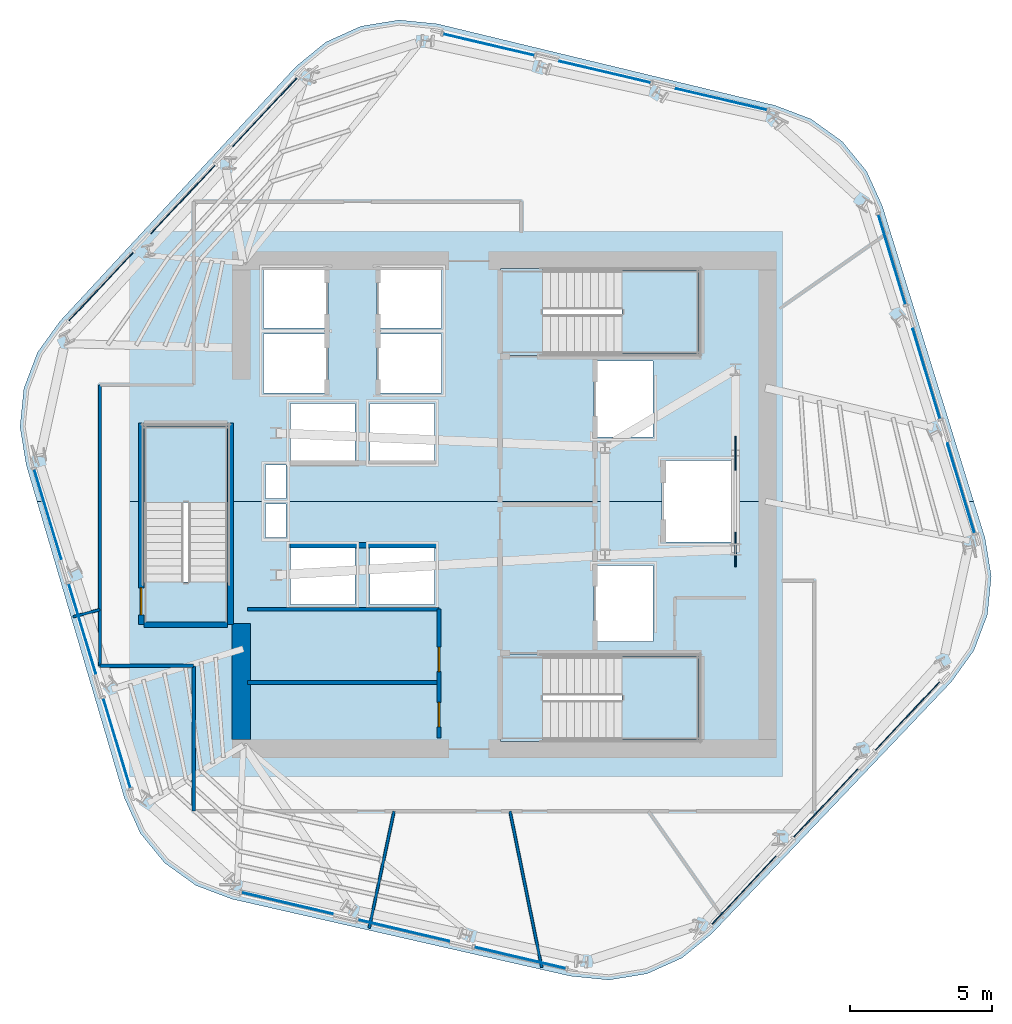
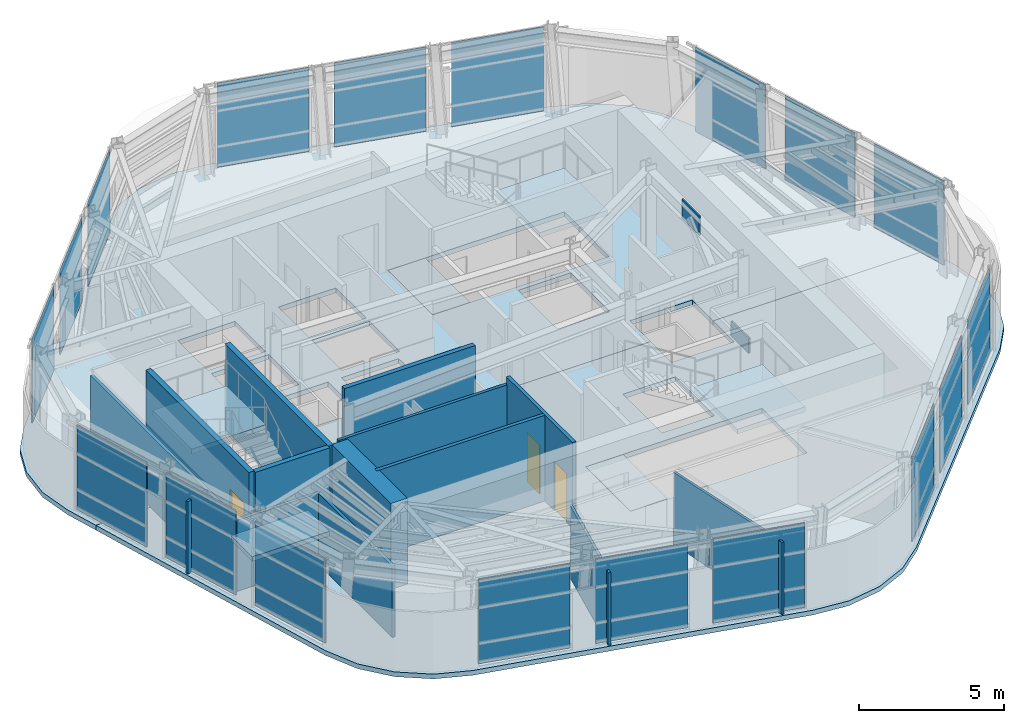
# One storey, part 6 of 13: 20 plates, 14 walls, 8 slabs, 3 doors, 3 openings, 9 elements without a shape of their own.
"""IFC4 building model written with IfcOpenShell, lengths in metres."""

from ifc_helpers import new_model, si_unit, direction, frame, frame_2d, origin, origin_2d, place, context, subcontext, project, spatial, polyline, rectangle, outline, extrude, material, layer, layer_set, type_object, element, fill, aggregate, save


model = new_model("IFC4")

# Units and contexts
model_context = context("Model", 3, precision=1e-05, world=origin(), true_north=direction((0.0, 1.0)))
body_context = subcontext(model_context, "Body", "Model", "MODEL_VIEW")
ifc_project = project(units=[si_unit("LENGTHUNIT", "METRE"), si_unit("AREAUNIT", "SQUARE_METRE"), si_unit("VOLUMEUNIT", "CUBIC_METRE"), si_unit("PLANEANGLEUNIT", "RADIAN"), si_unit("MASSUNIT", "GRAM", prefix="KILO")], contexts=[model_context])

# Site, building, storey
site_placement = place(None, origin())
site = spatial("IfcSite", under=ifc_project, at=site_placement, CompositionType="ELEMENT")
building_placement = place(site_placement, origin())
building = spatial("IfcBuilding", under=site, at=building_placement, Name="Valkerne Bourse Tower", CompositionType="ELEMENT")
storey_placement = place(building_placement, frame((0.0, 0.0, 224.60009765625)))
storey = spatial("IfcBuildingStorey", under=building, at=storey_placement, Name="L57", CompositionType="ELEMENT", Elevation=224.60009765625)

# Curtain wall, plates
ifc_material_1 = material(Name="Aluminium AA 6063-T6", Category="aluminium")
ifc_layer_1 = layer(ifc_material_1, 0.239990234375)
ifc_layer_set_1 = layer_set([ifc_layer_1], Name="Aluminium AA 6063-T6")
curtain_wall_type = type_object("IfcCurtainWallType", Name="CW-04", PredefinedType="NOTDEFINED", material=ifc_layer_set_1)
curtain_wall_1_placement = place(storey_placement, origin())
curtain_wall_1 = element("IfcCurtainWall", 1, at=curtain_wall_1_placement, inside=storey, type_object=curtain_wall_type, Name="L57 Hexagonal Stick Curtain Wall Face 1", PredefinedType="NOTDEFINED")
ifc_material_2 = material(Name="Glass IGU Low-E Double Glazed", Category="glass")
ifc_layer_2 = layer(ifc_material_2, 0.031982421875)
ifc_layer_set_2 = layer_set([ifc_layer_2], Name="Glass IGU Low-E Double Glazed")
plate_type_1 = type_object("IfcPlateType", Name="CW-PNL-IGU-32", PredefinedType="CURTAIN_PANEL", material=ifc_layer_set_2)
plate_1_placement = place(storey_placement, frame((54.448974609375, 41.16650390625, 0.02978515625), z_axis=(0.0, 0.0, 1.0), x_axis=(-0.973579457174, 0.228348506824, 0.0)))
plate_1 = element("IfcPlate", 2, at=plate_1_placement, type_object=plate_type_1, Name="CW-L57-F1 Curtain Panel 00", PredefinedType="CURTAIN_PANEL", context=body_context, shape_type="SweptSolid", body=[
    extrude(rectangle(XDim=3.2919921875, YDim=0.031982421875, at=origin_2d()), origin(), (0.0, 0.0, 1.0), 3.5400390625),
])
plate_2_placement = place(storey_placement, frame((50.348388671875, 42.128173828125, 0.02978515625), z_axis=(0.0, 0.0, 1.0), x_axis=(-0.973579457174, 0.228348506824, 0.0)))
plate_2 = element("IfcPlate", 3, at=plate_2_placement, type_object=plate_type_1, Name="CW-L57-F1 Curtain Panel 01", PredefinedType="CURTAIN_PANEL", context=body_context, shape_type="SweptSolid", body=[
    extrude(rectangle(XDim=3.2919921875, YDim=0.031982421875, at=origin_2d()), origin(), (0.0, 0.0, 1.0), 3.5400390625),
])
plate_3_placement = place(storey_placement, frame((46.24755859375, 43.090087890625, 0.02978515625), z_axis=(0.0, 0.0, 1.0), x_axis=(-0.973579457174, 0.228348506824, 0.0)))
plate_3 = element("IfcPlate", 4, at=plate_3_placement, type_object=plate_type_1, Name="CW-L57-F1 Curtain Panel 02", PredefinedType="CURTAIN_PANEL", context=body_context, shape_type="SweptSolid", body=[
    extrude(rectangle(XDim=3.2919921875, YDim=0.031982421875, at=origin_2d()), origin(), (0.0, 0.0, 1.0), 3.5400390625),
])
aggregate(curtain_wall_1, [plate_1, plate_2, plate_3])

curtain_wall_2_placement = place(storey_placement, origin())
curtain_wall_2 = element("IfcCurtainWall", 5, at=curtain_wall_2_placement, inside=storey, type_object=curtain_wall_type, Name="L57 Hexagonal Stick Curtain Wall Face 2", PredefinedType="NOTDEFINED")
plate_4_placement = place(storey_placement, frame((38.35595703125, 40.70751953125, 0.02978515625), z_axis=(0.0, 0.0, 1.0), x_axis=(-0.684560035051, -0.728956485952, 0.0)))
plate_4 = element("IfcPlate", 6, at=plate_4_placement, type_object=plate_type_1, Name="CW-L57-F2 Curtain Panel 00", PredefinedType="CURTAIN_PANEL", context=body_context, shape_type="SweptSolid", body=[
    extrude(rectangle(XDim=3.2919921875, YDim=0.031982421875, at=origin_2d()), origin(), (0.0, 0.0, 1.0), 3.5400390625),
])
plate_5_placement = place(storey_placement, frame((35.47265625, 37.636962890625, 0.02978515625), z_axis=(0.0, 0.0, 1.0), x_axis=(-0.684535571717, -0.728979458595, 0.0)))
plate_5 = element("IfcPlate", 7, at=plate_5_placement, type_object=plate_type_1, Name="CW-L57-F2 Curtain Panel 01", PredefinedType="CURTAIN_PANEL", context=body_context, shape_type="SweptSolid", body=[
    extrude(rectangle(XDim=3.2919921875, YDim=0.031982421875, at=origin_2d()), origin(), (0.0, 0.0, 1.0), 3.5400390625),
])
plate_6_placement = place(storey_placement, frame((32.58935546875, 34.56640625, 0.02978515625), z_axis=(0.0, 0.0, 1.0), x_axis=(-0.684547419077, -0.728968333355, 0.0)))
plate_6 = element("IfcPlate", 8, at=plate_6_placement, type_object=plate_type_1, Name="CW-L57-F2 Curtain Panel 02", PredefinedType="CURTAIN_PANEL", context=body_context, shape_type="SweptSolid", body=[
    extrude(rectangle(XDim=3.2919921875, YDim=0.031982421875, at=origin_2d()), origin(), (0.0, 0.0, 1.0), 3.5400390625),
])
aggregate(curtain_wall_2, [plate_4, plate_5, plate_6])

curtain_wall_3_placement = place(storey_placement, origin())
curtain_wall_3 = element("IfcCurtainWall", 9, at=curtain_wall_3_placement, inside=storey, type_object=curtain_wall_type, Name="L57 Hexagonal Stick Curtain Wall Face 3", PredefinedType="NOTDEFINED")
plate_7_placement = place(storey_placement, frame((30.70703125, 26.541015625, 0.02978515625), z_axis=(0.0, 0.0, 1.0), x_axis=(0.289033329904, -0.957319034703, 0.0)))
plate_7 = element("IfcPlate", 10, at=plate_7_placement, type_object=plate_type_1, Name="CW-L57-F3 Curtain Panel 00", PredefinedType="CURTAIN_PANEL", context=body_context, shape_type="SweptSolid", body=[
    extrude(rectangle(XDim=3.2919921875, YDim=0.031982421875, at=origin_2d()), origin(), (0.0, 0.0, 1.0), 3.5400390625),
])
plate_8_placement = place(storey_placement, frame((31.92431640625, 22.5087890625, 0.02978515625), z_axis=(0.0, 0.0, 1.0), x_axis=(0.289033329904, -0.957319034703, 0.0)))
plate_8 = element("IfcPlate", 11, at=plate_8_placement, type_object=plate_type_1, Name="CW-L57-F3 Curtain Panel 01", PredefinedType="CURTAIN_PANEL", context=body_context, shape_type="SweptSolid", body=[
    extrude(rectangle(XDim=3.2919921875, YDim=0.031982421875, at=origin_2d()), origin(), (0.0, 0.0, 1.0), 3.5400390625),
])
plate_9_placement = place(storey_placement, frame((33.141845703125, 18.4765625, 0.02978515625), z_axis=(0.0, 0.0, 1.0), x_axis=(0.289026760752, -0.957321018034, 0.0)))
plate_9 = element("IfcPlate", 12, at=plate_9_placement, type_object=plate_type_1, Name="CW-L57-F3 Curtain Panel 02", PredefinedType="CURTAIN_PANEL", context=body_context, shape_type="SweptSolid", body=[
    extrude(rectangle(XDim=3.2919921875, YDim=0.031982421875, at=origin_2d()), origin(), (0.0, 0.0, 1.0), 3.5400390625),
])
aggregate(curtain_wall_3, [plate_7, plate_8, plate_9])

curtain_wall_4_placement = place(storey_placement, origin())
curtain_wall_4 = element("IfcCurtainWall", 13, at=curtain_wall_4_placement, inside=storey, type_object=curtain_wall_type, Name="L57 Hexagonal Stick Curtain Wall Face 4", PredefinedType="NOTDEFINED")
plate_10_placement = place(storey_placement, frame((39.15087890625, 12.83349609375, 0.02978515625), z_axis=(0.0, 0.0, 1.0), x_axis=(0.973579457174, -0.228348506824, 0.0)))
plate_10 = element("IfcPlate", 14, at=plate_10_placement, type_object=plate_type_1, Name="CW-L57-F4 Curtain Panel 00", PredefinedType="CURTAIN_PANEL", context=body_context, shape_type="SweptSolid", body=[
    extrude(rectangle(XDim=3.2919921875, YDim=0.031982421875, at=origin_2d()), origin(), (0.0, 0.0, 1.0), 3.5400390625),
])
plate_11_placement = place(storey_placement, frame((43.251708984375, 11.871826171875, 0.02978515625), z_axis=(0.0, 0.0, 1.0), x_axis=(0.973579457174, -0.228348506824, 0.0)))
plate_11 = element("IfcPlate", 15, at=plate_11_placement, type_object=plate_type_1, Name="CW-L57-F4 Curtain Panel 01", PredefinedType="CURTAIN_PANEL", context=body_context, shape_type="SweptSolid", body=[
    extrude(rectangle(XDim=3.2919921875, YDim=0.031982421875, at=origin_2d()), origin(), (0.0, 0.0, 1.0), 3.5400390625),
])
plate_12_placement = place(storey_placement, frame((47.352294921875, 10.909912109375, 0.02978515625), z_axis=(0.0, 0.0, 1.0), x_axis=(0.973579457174, -0.228348506824, 0.0)))
plate_12 = element("IfcPlate", 16, at=plate_12_placement, type_object=plate_type_1, Name="CW-L57-F4 Curtain Panel 02", PredefinedType="CURTAIN_PANEL", context=body_context, shape_type="SweptSolid", body=[
    extrude(rectangle(XDim=3.2919921875, YDim=0.031982421875, at=origin_2d()), origin(), (0.0, 0.0, 1.0), 3.5400390625),
])
aggregate(curtain_wall_4, [plate_10, plate_11, plate_12])

curtain_wall_5_placement = place(storey_placement, origin())
curtain_wall_5 = element("IfcCurtainWall", 17, at=curtain_wall_5_placement, inside=storey, type_object=curtain_wall_type, Name="L57 Hexagonal Stick Curtain Wall Face 5", PredefinedType="NOTDEFINED")
plate_13_placement = place(storey_placement, frame((55.243896484375, 13.29248046875, 0.02978515625), z_axis=(0.0, 0.0, 1.0), x_axis=(0.684560035051, 0.728956485952, 0.0)))
plate_13 = element("IfcPlate", 18, at=plate_13_placement, type_object=plate_type_1, Name="CW-L57-F5 Curtain Panel 00", PredefinedType="CURTAIN_PANEL", context=body_context, shape_type="SweptSolid", body=[
    extrude(rectangle(XDim=3.2919921875, YDim=0.031982421875, at=origin_2d()), origin(), (0.0, 0.0, 1.0), 3.5400390625),
])
plate_14_placement = place(storey_placement, frame((58.127197265625, 16.363037109375, 0.02978515625), z_axis=(0.0, 0.0, 1.0), x_axis=(0.684535571717, 0.728979458595, 0.0)))
plate_14 = element("IfcPlate", 19, at=plate_14_placement, type_object=plate_type_1, Name="CW-L57-F5 Curtain Panel 01", PredefinedType="CURTAIN_PANEL", context=body_context, shape_type="SweptSolid", body=[
    extrude(rectangle(XDim=3.2919921875, YDim=0.031982421875, at=origin_2d()), origin(), (0.0, 0.0, 1.0), 3.5400390625),
])
plate_15_placement = place(storey_placement, frame((61.010498046875, 19.43359375, 0.02978515625), z_axis=(0.0, 0.0, 1.0), x_axis=(0.684547419077, 0.728968333355, 0.0)))
plate_15 = element("IfcPlate", 20, at=plate_15_placement, type_object=plate_type_1, Name="CW-L57-F5 Curtain Panel 02", PredefinedType="CURTAIN_PANEL", context=body_context, shape_type="SweptSolid", body=[
    extrude(rectangle(XDim=3.2919921875, YDim=0.031982421875, at=origin_2d()), origin(), (0.0, 0.0, 1.0), 3.5400390625),
])
aggregate(curtain_wall_5, [plate_13, plate_14, plate_15])

curtain_wall_6_placement = place(storey_placement, origin())
curtain_wall_6 = element("IfcCurtainWall", 21, at=curtain_wall_6_placement, inside=storey, type_object=curtain_wall_type, Name="L57 Hexagonal Stick Curtain Wall Face 6", PredefinedType="NOTDEFINED")
plate_16_placement = place(storey_placement, frame((62.89306640625, 27.458984375, 0.02978515625), z_axis=(0.0, 0.0, 1.0), x_axis=(-0.289033329904, 0.957319034703, 0.0)))
plate_16 = element("IfcPlate", 22, at=plate_16_placement, type_object=plate_type_1, Name="CW-L57-F6 Curtain Panel 00", PredefinedType="CURTAIN_PANEL", context=body_context, shape_type="SweptSolid", body=[
    extrude(rectangle(XDim=3.2919921875, YDim=0.031982421875, at=origin_2d()), origin(), (0.0, 0.0, 1.0), 3.5400390625),
])
plate_17_placement = place(storey_placement, frame((61.675537109375, 31.4912109375, 0.02978515625), z_axis=(0.0, 0.0, 1.0), x_axis=(-0.289033329904, 0.957319034703, 0.0)))
plate_17 = element("IfcPlate", 23, at=plate_17_placement, type_object=plate_type_1, Name="CW-L57-F6 Curtain Panel 01", PredefinedType="CURTAIN_PANEL", context=body_context, shape_type="SweptSolid", body=[
    extrude(rectangle(XDim=3.2919921875, YDim=0.031982421875, at=origin_2d()), origin(), (0.0, 0.0, 1.0), 3.5400390625),
])
plate_18_placement = place(storey_placement, frame((60.458251953125, 35.5234375, 0.02978515625), z_axis=(0.0, 0.0, 1.0), x_axis=(-0.289026760752, 0.957321018034, 0.0)))
plate_18 = element("IfcPlate", 24, at=plate_18_placement, type_object=plate_type_1, Name="CW-L57-F6 Curtain Panel 02", PredefinedType="CURTAIN_PANEL", context=body_context, shape_type="SweptSolid", body=[
    extrude(rectangle(XDim=3.2919921875, YDim=0.031982421875, at=origin_2d()), origin(), (0.0, 0.0, 1.0), 3.5400390625),
])
aggregate(curtain_wall_6, [plate_16, plate_17, plate_18])

# Plates
ifc_material_3 = material(Name="Steel ASTM A572 Grade 50", Category="steel")
ifc_layer_3 = layer(ifc_material_3, 0.06005859375)
ifc_layer_set_3 = layer_set([ifc_layer_3], Name="Steel ASTM A572 Grade 50")
plate_type_2 = type_object("IfcPlateType", Name="PLT-GUS-60", PredefinedType="SHEET", material=ifc_layer_set_3)
for number, where, z_axis, x_axis, name in (
    (25, (54.949951171875, 25.300048828125, -0.18017578125), (0.0, 0.0, 1.0), (0.0, 1.0, 0.0), "L57 Brace Node Gusset Plate PLT-GUS-END-L57-430"),
    (26, (54.949951171875, 28.699951171875, 2.8935546875), (0.0, 0.0, 1.0), (0.0, 1.0, 0.0), "L57 Brace Node Gusset Plate PLT-GUS-END-L57-431"),
):
    element("IfcPlate", number, at=place(storey_placement, frame(where, z_axis=z_axis, x_axis=x_axis)), inside=storey, type_object=plate_type_2, Name=name, PredefinedType="SHEET", context=body_context, shape_type="SweptSolid", body=[
        extrude(rectangle(XDim=1.199951171875, YDim=0.06005859375, at=origin_2d()), origin(), (0.0, 0.0, 1.0), 0.800048828125),
    ])

# Slabs
ifc_material_4 = material(Name="Concrete C40/50", Category="concrete")
ifc_layer_4 = layer(ifc_material_4, 0.25)
ifc_layer_set_4 = layer_set([ifc_layer_4], Name="Concrete C40/50")
slab_type_1 = type_object("IfcSlabType", Name="SLB-RMP-LND-250", PredefinedType="LANDING", material=ifc_layer_set_4)
slab_1_placement = place(storey_placement, frame((0.0, 0.0, -0.2001953125)))
element("IfcSlab", 27, at=slab_1_placement, inside=storey, type_object=slab_type_1, Name="L57 ST-1 Floor Landing Slab", PredefinedType="LANDING", context=body_context, shape_type="SweptSolid", body=[
    extrude(outline(polyline([(46.669921875, 18.5400390625), (48.14990234375, 18.5400390625), (48.14990234375, 21.610107421875), (46.669921875, 21.610107421875), (46.669921875, 18.5400390625)])), origin(), (0.0, 0.0, 1.0), 0.2001953125),
])
slab_2_placement = place(storey_placement, frame((0.0, 0.0, -0.2001953125)))
element("IfcSlab", 28, at=slab_2_placement, inside=storey, type_object=slab_type_1, Name="L57 ST-2 Floor Landing Slab", PredefinedType="LANDING", context=body_context, shape_type="SweptSolid", body=[
    extrude(outline(polyline([(46.669921875, 32.139892578125), (48.14990234375, 32.139892578125), (48.14990234375, 35.2099609375), (46.669921875, 35.2099609375), (46.669921875, 32.139892578125)])), origin(), (0.0, 0.0, 1.0), 0.2001953125),
])
slab_3_placement = place(storey_placement, frame((0.0, 0.0, -0.2001953125)))
element("IfcSlab", 29, at=slab_3_placement, inside=storey, type_object=slab_type_1, Name="L57 ST-3 Floor Landing Slab", PredefinedType="LANDING", context=body_context, shape_type="SweptSolid", body=[
    extrude(outline(polyline([(37.110107421875, 22.669921875), (37.110107421875, 24.14990234375), (34.0400390625, 24.14990234375), (34.0400390625, 22.669921875), (37.110107421875, 22.669921875)])), origin(), (0.0, 0.0, 1.0), 0.2001953125),
])

# Stair, slab
stair_type = type_object("IfcStairType", Name="ST-CORE-1400", PredefinedType="HALF_TURN_STAIR", material=ifc_material_4)
stair_1_placement = place(storey_placement, origin())
stair_1 = element("IfcStair", 30, at=stair_1_placement, inside=storey, type_object=stair_type, Name="L57 ST-1", PredefinedType="HALF_TURN_STAIR")
ifc_layer_5 = layer(ifc_material_4, 0.179931640625)
ifc_layer_set_5 = layer_set([ifc_layer_5], Name="Concrete C40/50")
slab_type_2 = type_object("IfcSlabType", Name="SLB-ST-LND-180", PredefinedType="LANDING", material=ifc_layer_set_5)
slab_4_placement = place(storey_placement, frame((0.0, 0.0, 1.699951171875)))
slab_4 = element("IfcSlab", 31, at=slab_4_placement, type_object=slab_type_2, Name="ST-1 landing 1", PredefinedType="LANDING", context=body_context, shape_type="SweptSolid", body=[
    extrude(outline(polyline([(50.949951171875, 18.60009765625), (53.64990234375, 18.60009765625), (53.64990234375, 21.550048828125), (50.949951171875, 21.550048828125), (50.949951171875, 18.60009765625)])), origin(), (0.0, 0.0, 1.0), 0.199951171875),
])
aggregate(stair_1, [slab_4])

stair_2_placement = place(storey_placement, origin())
stair_2 = element("IfcStair", 32, at=stair_2_placement, inside=storey, type_object=stair_type, Name="L57 ST-2", PredefinedType="HALF_TURN_STAIR")
slab_5_placement = place(storey_placement, frame((0.0, 0.0, 1.699951171875)))
slab_5 = element("IfcSlab", 33, at=slab_5_placement, type_object=slab_type_2, Name="ST-2 landing 1", PredefinedType="LANDING", context=body_context, shape_type="SweptSolid", body=[
    extrude(outline(polyline([(50.949951171875, 32.199951171875), (53.64990234375, 32.199951171875), (53.64990234375, 35.14990234375), (50.949951171875, 35.14990234375), (50.949951171875, 32.199951171875)])), origin(), (0.0, 0.0, 1.0), 0.199951171875),
])
aggregate(stair_2, [slab_5])

stair_3_placement = place(storey_placement, origin())
stair_3 = element("IfcStair", 34, at=stair_3_placement, inside=storey, type_object=stair_type, Name="L57 ST-3", PredefinedType="HALF_TURN_STAIR")
slab_6_placement = place(storey_placement, frame((0.0, 0.0, 1.699951171875)))
slab_6 = element("IfcSlab", 35, at=slab_6_placement, type_object=slab_type_2, Name="ST-3 landing 1", PredefinedType="LANDING", context=body_context, shape_type="SweptSolid", body=[
    extrude(outline(polyline([(37.050048828125, 26.949951171875), (37.050048828125, 29.64990234375), (34.10009765625, 29.64990234375), (34.10009765625, 26.949951171875), (37.050048828125, 26.949951171875)])), origin(), (0.0, 0.0, 1.0), 0.199951171875),
])
aggregate(stair_3, [slab_6])

# Slabs
ifc_layer_6 = layer(ifc_material_4, 0.199951171875)
ifc_layer_set_6 = layer_set([ifc_layer_6], Name="Concrete C40/50")
slab_type_3 = type_object("IfcSlabType", Name="SLB-TOW-200", PredefinedType="FLOOR", material=ifc_layer_set_6)
slab_7_placement = place(storey_placement, frame((0.0, 0.0, -0.2001953125)))
element("IfcSlab", 36, at=slab_7_placement, inside=storey, type_object=slab_type_3, Name="L57 Hexagonal Composite Floor Slab S", PredefinedType="FLOOR", context=body_context, shape_type="SweptSolid", body=[
    extrude(outline(polyline([(63.961669921875, 24.357177734375), (63.826904296875, 23.00634765625), (63.346923828125, 21.736572265625), (62.5546875, 20.63427734375), (54.115478515625, 11.765380859375), (53.065185546875, 10.905517578125), (51.827880859375, 10.346923828125), (50.48828125, 10.12744140625), (49.137451171875, 10.26220703125), (37.2001953125, 12.979248046875), (35.930419921875, 13.458984375), (34.828125, 14.251220703125), (33.96826171875, 15.301513671875), (33.40966796875, 16.538818359375), (30.326416015625, 27.0), (34.034912109375, 27.0), (34.034912109375, 22.6650390625), (37.114990234375, 22.6650390625), (37.114990234375, 27.0), (52.360107421875, 27.0), (52.360107421875, 25.56005859375), (54.840087890625, 25.56005859375), (54.840087890625, 27.0), (63.33935546875, 27.0), (63.7421875, 25.69677734375), (63.961669921875, 24.357177734375)]), holes=[polyline([(41.5400390625, 25.43994140625), (39.260009765625, 25.43994140625), (39.260009765625, 23.360107421875), (41.5400390625, 23.360107421875), (41.5400390625, 25.43994140625)]), polyline([(44.340087890625, 25.43994140625), (42.06005859375, 25.43994140625), (42.06005859375, 23.360107421875), (44.340087890625, 23.360107421875), (44.340087890625, 25.43994140625)]), polyline([(39.10009765625, 26.89990234375), (38.3798828125, 26.89990234375), (38.3798828125, 25.72998046875), (39.10009765625, 25.72998046875), (39.10009765625, 26.89990234375)]), polyline([(53.675048828125, 21.614990234375), (46.6650390625, 21.614990234375), (46.6650390625, 18.534912109375), (53.675048828125, 18.534912109375), (53.675048828125, 21.614990234375)]), polyline([(52.0400390625, 24.739990234375), (49.9599609375, 24.739990234375), (49.9599609375, 22.06005859375), (52.0400390625, 22.06005859375), (52.0400390625, 24.739990234375)])]), origin(), (0.0, 0.0, 1.0), 0.2001953125),
])
slab_8_placement = place(storey_placement, frame((0.0, 0.0, -0.2001953125)))
element("IfcSlab", 37, at=slab_8_placement, inside=storey, type_object=slab_type_3, Name="L57 Hexagonal Composite Floor Slab N", PredefinedType="FLOOR", context=body_context, shape_type="SweptSolid", body=[
    extrude(outline(polyline([(29.948486328125, 28.281982421875), (29.729248046875, 29.62158203125), (29.864013671875, 30.972412109375), (30.343994140625, 32.2421875), (31.135986328125, 33.344482421875), (39.45751953125, 42.323974609375), (40.508056640625, 43.183837890625), (41.7451171875, 43.742431640625), (43.084716796875, 43.9619140625), (44.435546875, 43.826904296875), (56.3359375, 40.952880859375), (57.605712890625, 40.472900390625), (58.7080078125, 39.680908203125), (59.56787109375, 38.63037109375), (60.12646484375, 37.39306640625), (63.33935546875, 27.0), (54.840087890625, 27.0), (54.840087890625, 28.43994140625), (52.360107421875, 28.43994140625), (52.360107421875, 27.0), (37.114990234375, 27.0), (37.114990234375, 29.675048828125), (34.034912109375, 29.675048828125), (34.034912109375, 27.0), (30.326416015625, 27.0), (29.948486328125, 28.281982421875)]), holes=[polyline([(39.10009765625, 28.27001953125), (38.3798828125, 28.27001953125), (38.3798828125, 27.10009765625), (39.10009765625, 27.10009765625), (39.10009765625, 28.27001953125)]), polyline([(41.5400390625, 30.43994140625), (39.260009765625, 30.43994140625), (39.260009765625, 28.360107421875), (41.5400390625, 28.360107421875), (41.5400390625, 30.43994140625)]), polyline([(40.590087890625, 32.889892578125), (38.31005859375, 32.889892578125), (38.31005859375, 30.81005859375), (40.590087890625, 30.81005859375), (40.590087890625, 32.889892578125)]), polyline([(40.590087890625, 35.18994140625), (38.31005859375, 35.18994140625), (38.31005859375, 33.110107421875), (40.590087890625, 33.110107421875), (40.590087890625, 35.18994140625)]), polyline([(44.340087890625, 30.43994140625), (42.06005859375, 30.43994140625), (42.06005859375, 28.360107421875), (44.340087890625, 28.360107421875), (44.340087890625, 30.43994140625)]), polyline([(52.0400390625, 31.93994140625), (49.9599609375, 31.93994140625), (49.9599609375, 29.260009765625), (52.0400390625, 29.260009765625), (52.0400390625, 31.93994140625)]), polyline([(44.590087890625, 32.889892578125), (42.31005859375, 32.889892578125), (42.31005859375, 30.81005859375), (44.590087890625, 30.81005859375), (44.590087890625, 32.889892578125)]), polyline([(53.675048828125, 35.215087890625), (46.6650390625, 35.215087890625), (46.6650390625, 32.135009765625), (53.675048828125, 32.135009765625), (53.675048828125, 35.215087890625)]), polyline([(44.590087890625, 35.18994140625), (42.31005859375, 35.18994140625), (42.31005859375, 33.110107421875), (44.590087890625, 33.110107421875), (44.590087890625, 35.18994140625)])]), origin(), (0.0, 0.0, 1.0), 0.2001953125),
])

# Walls
ifc_material_5 = material(Name="Concrete C55/67", Category="concrete")
ifc_layer_7 = layer(ifc_material_5, 0.64990234375)
ifc_layer_set_7 = layer_set([ifc_layer_7], Name="Concrete C55/67")
wall_type_1 = type_object("IfcWallType", Name="W-CORE-650", PredefinedType="SHEAR", material=ifc_layer_set_7)
wall_1_placement = place(storey_placement, frame((37.52490234375, 18.60009765625, 0.0), z_axis=(0.0, 0.0, 1.0), x_axis=(0.0, 1.0, 0.0)))
element("IfcWall", 38, at=wall_1_placement, inside=storey, type_object=wall_type_1, Name="L57 Core Shear Wall WEST-S", PredefinedType="SHEAR", context=body_context, shape_type="SweptSolid", body=[
    extrude(rectangle(XDim=4.099853515625, YDim=0.64990234375, at=frame_2d((2.0498046875, 0.0))), origin(), (0.0, 0.0, 1.0), 3.599853515625),
])
ifc_material_6 = material(Name="Gypsum Board Steel-Stud Partition", Category="steel")
ifc_layer_8 = layer(ifc_material_6, 0.117919921875)
ifc_layer_set_8 = layer_set([ifc_layer_8], Name="Gypsum Board Steel-Stud Partition")
wall_type_2 = type_object("IfcWallType", Name="W-CORR-140", PredefinedType="PARTITIONING", material=ifc_layer_set_8)
wall_2_placement = place(storey_placement, frame((37.75, 23.199951171875, 0.0), z_axis=(0.0, 0.0, 1.0), x_axis=(1.0, 0.0, 0.0)))
element("IfcWall", 39, at=wall_2_placement, inside=storey, type_object=wall_type_2, Name="L57 LV7 Low-Bank North Wall", PredefinedType="PARTITIONING", context=body_context, shape_type="SweptSolid", body=[
    extrude(rectangle(XDim=6.75, YDim=0.117919921875, at=frame_2d((3.375, 0.0))), origin(), (0.0, 0.0, 1.0), 3.2998046875),
])
wall_3_placement = place(storey_placement, frame((35.85009765625, 16.080078125, 0.0), z_axis=(0.0, 0.0, 1.0), x_axis=(0.0, 1.0, 0.0)))
element("IfcWall", 40, at=wall_3_placement, inside=storey, type_object=wall_type_2, Name="L57 Corridor Enclosure Wall", PredefinedType="PARTITIONING", context=body_context, shape_type="SweptSolid", body=[
    extrude(rectangle(XDim=5.119873046875, YDim=0.117919921875, at=frame_2d((2.56005859375, 0.0))), origin(), (0.0, 0.0, 1.0), 2.98291015625),
])
wall_4_placement = place(storey_placement, frame((35.85009765625, 21.199951171875, 0.0), z_axis=(0.0, 0.0, 1.0), x_axis=(-1.0, 0.0, 0.0)))
element("IfcWall", 41, at=wall_4_placement, inside=storey, type_object=wall_type_2, Name="L57 Corridor Enclosure Wall", PredefinedType="PARTITIONING", context=body_context, shape_type="SweptSolid", body=[
    extrude(rectangle(XDim=3.300048828125, YDim=0.117919921875, at=frame_2d((1.64990234375, 0.0))), origin(), (0.0, 0.0, 1.0), 2.98291015625),
])
wall_5_placement = place(storey_placement, frame((32.550048828125, 21.199951171875, 0.0), z_axis=(0.0, 0.0, 1.0), x_axis=(0.0, 1.0, 0.0)))
element("IfcWall", 42, at=wall_5_placement, inside=storey, type_object=wall_type_2, Name="L57 Corridor Enclosure Wall", PredefinedType="PARTITIONING", context=body_context, shape_type="SweptSolid", body=[
    extrude(rectangle(XDim=9.900146484375, YDim=0.117919921875, at=frame_2d((4.9501953125, 0.0))), origin(), (0.0, 0.0, 1.0), 3.0361328125),
])
ifc_material_7 = material(Name="CMU Blockwork Masonry 200mm", Category="masonry")
ifc_layer_9 = layer(ifc_material_7, 0.179931640625)
ifc_layer_set_9 = layer_set([ifc_layer_9], Name="CMU Blockwork Masonry 200mm")
wall_type_3 = type_object("IfcWallType", Name="W-LFT-180", PredefinedType="SOLIDWALL", material=ifc_layer_set_9)
wall_6_placement = place(storey_placement, frame((39.25, 25.449951171875, 0.0), z_axis=(0.0, 0.0, 1.0), x_axis=(1.0, 0.0, 0.0)))
element("IfcWall", 43, at=wall_6_placement, inside=storey, type_object=wall_type_3, Name="L57 High-Zone South Cars Front Wall", PredefinedType="SOLIDWALL", context=body_context, shape_type="SweptSolid", body=[
    extrude(rectangle(XDim=5.199951171875, YDim=0.179931640625, at=frame_2d((2.60009765625, 0.0))), origin(), (0.0, 0.0, 1.0), 3.599853515625),
])
ifc_layer_10 = layer(ifc_material_6, 0.092041015625)
ifc_layer_set_10 = layer_set([ifc_layer_10], Name="Gypsum Board Steel-Stud Partition")
wall_type_4 = type_object("IfcWallType", Name="W-PART-115", PredefinedType="PARTITIONING", material=ifc_layer_set_10)
wall_7_placement = place(storey_placement, frame((42.91162109375, 16.074951171875, 0.0), z_axis=(0.0, 0.0, 1.0), x_axis=(-0.207927313623, -0.978144279874, 0.0)))
element("IfcWall", 44, at=wall_7_placement, inside=storey, type_object=wall_type_4, Name="L57 Suite Partition P01", PredefinedType="PARTITIONING", context=body_context, shape_type="SweptSolid", body=[
    extrude(rectangle(XDim=4.21630859375, YDim=0.092041015625, at=frame_2d((2.108154296875, 0.0))), origin(), (0.0, 0.0, 1.0), 3.0361328125),
])
wall_8_placement = place(storey_placement, frame((46.998779296875, 16.074951171875, 0.0), z_axis=(0.0, 0.0, 1.0), x_axis=(0.199405271554, -0.979917107554, 0.0)))
element("IfcWall", 45, at=wall_8_placement, inside=storey, type_object=wall_type_4, Name="L57 Suite Partition P02", PredefinedType="PARTITIONING", context=body_context, shape_type="SweptSolid", body=[
    extrude(rectangle(XDim=5.6220703125, YDim=0.092041015625, at=frame_2d((2.81103515625, 0.0))), origin(), (0.0, 0.0, 1.0), 3.0361328125),
])
wall_9_placement = place(storey_placement, frame((32.544921875, 23.180419921875, 0.0), z_axis=(0.0, 0.0, 1.0), x_axis=(-0.965877860396, -0.258997989949, 0.0)))
element("IfcWall", 46, at=wall_9_placement, inside=storey, type_object=wall_type_4, Name="L57 Suite Partition P05", PredefinedType="PARTITIONING", context=body_context, shape_type="SweptSolid", body=[
    extrude(rectangle(XDim=0.978515625, YDim=0.092041015625, at=frame_2d((0.4892578125, 0.0))), origin(), (0.0, 0.0, 1.0), 3.0361328125),
])

# Wall, opening, door
ifc_layer_11 = layer(ifc_material_4, 0.199951171875)
ifc_layer_set_11 = layer_set([ifc_layer_11], Name="Concrete C40/50")
wall_type_5 = type_object("IfcWallType", Name="W-SHF-200", PredefinedType="SHEAR", material=ifc_layer_set_11)
wall_10_placement = place(storey_placement, frame((34.0, 22.64990234375, 0.0), z_axis=(0.0, 0.0, 1.0), x_axis=(0.0, 1.0, 0.0)))
wall_10 = element("IfcWall", 47, at=wall_10_placement, inside=storey, type_object=wall_type_5, Name="L57 Exit Stair ST-3 Structural Shaft Wall West", PredefinedType="SHEAR", context=body_context, shape_type="SweptSolid", body=[
    extrude(rectangle(XDim=7.10009765625, YDim=0.199951171875, at=frame_2d((3.550048828125, 0.0))), origin(), (0.0, 0.0, 1.0), 3.599853515625),
])
opening_1_placement = place(wall_10_placement, frame((0.35009765625, 0.0, 0.0)))
opening_1 = element("IfcOpeningElement", 48, at=opening_1_placement, cuts=wall_10, Name="Opening D-ST-950", PredefinedType="OPENING", context=body_context, shape_type="SweptSolid", body=[
    extrude(rectangle(XDim=0.949951171875, YDim=2.10009765625, at=frame_2d((0.47509765625, 1.050048828125))), frame((0.0, 0.10986328125, 0.0), z_axis=(0.0, -1.0, 0.0), x_axis=(1.0, 0.0, 0.0)), (0.0, 0.0, 1.0), 0.219970703125),
])
ifc_material_8 = material(Name="Galvanised Painted Steel", Category="steel")
door_type_1 = type_object("IfcDoorType", Name="DR-STAIR-950", OperationType="NOTDEFINED", PredefinedType="DOOR", material=ifc_material_8)
door_1_placement = place(opening_1_placement, origin())
door_1 = element("IfcDoor", 49, at=door_1_placement, inside=storey, type_object=door_type_1, Name="L57 Exit Stair ST-3 Door", OperationType="SINGLE_SWING_RIGHT", OverallHeight=2.10009765625, OverallWidth=0.949951171875, PredefinedType="DOOR", context=body_context, shape_type="SweptSolid", body=[
    extrude(rectangle(XDim=0.949951171875, YDim=2.10009765625, at=frame_2d((0.47509765625, 1.050048828125))), frame((0.0, 0.02490234375, 0.0), z_axis=(0.0, -1.0, 0.0), x_axis=(1.0, 0.0, 0.0)), (0.0, 0.0, 1.0), 0.050048828125),
])
fill(opening_1, door_1)

# Walls
wall_11_placement = place(storey_placement, frame((34.10009765625, 22.64990234375, 0.0), z_axis=(0.0, 0.0, 1.0), x_axis=(1.0, 0.0, 0.0)))
element("IfcWall", 50, at=wall_11_placement, inside=storey, type_object=wall_type_5, Name="L57 Exit Stair ST-3 Structural Shaft Wall South", PredefinedType="SHEAR", context=body_context, shape_type="SweptSolid", body=[
    extrude(rectangle(XDim=2.949951171875, YDim=0.199951171875, at=frame_2d((1.47509765625, 0.0))), origin(), (0.0, 0.0, 1.0), 3.599853515625),
])
wall_12_placement = place(storey_placement, frame((37.14990234375, 22.64990234375, 0.0), z_axis=(0.0, 0.0, 1.0), x_axis=(0.0, 1.0, 0.0)))
element("IfcWall", 51, at=wall_12_placement, inside=storey, type_object=wall_type_5, Name="L57 Exit Stair ST-3 Structural Shaft Wall East", PredefinedType="SHEAR", context=body_context, shape_type="SweptSolid", body=[
    extrude(rectangle(XDim=7.10009765625, YDim=0.199951171875, at=frame_2d((3.550048828125, 0.0))), origin(), (0.0, 0.0, 1.0), 3.599853515625),
])

# Wall, openings, doors
ifc_material_9 = material(Name="Moisture-Resistant Gypsum Partition", Category="gypsum")
ifc_layer_12 = layer(ifc_material_9, 0.139892578125)
ifc_layer_set_12 = layer_set([ifc_layer_12], Name="Moisture-Resistant Gypsum Partition")
wall_type_6 = type_object("IfcWallType", Name="W-WET-140", PredefinedType="PARTITIONING", material=ifc_layer_set_12)
wall_13_placement = place(storey_placement, frame((44.5, 18.64990234375, 0.0), z_axis=(0.0, 0.0, 1.0), x_axis=(0.0, 1.0, 0.0)))
wall_13 = element("IfcWall", 52, at=wall_13_placement, inside=storey, type_object=wall_type_6, Name="L57 LV7 Low-Bank East Wall", PredefinedType="PARTITIONING", context=body_context, shape_type="SweptSolid", body=[
    extrude(rectangle(XDim=4.550048828125, YDim=0.139892578125, at=frame_2d((2.27490234375, 0.0))), origin(), (0.0, 0.0, 1.0), 3.599853515625),
])
opening_2_placement = place(wall_13_placement, frame((0.39990234375, 0.0, 0.0)))
opening_2 = element("IfcOpeningElement", 53, at=opening_2_placement, cuts=wall_13, Name="Opening D-WC-900", PredefinedType="OPENING", context=body_context, shape_type="SweptSolid", body=[
    extrude(rectangle(XDim=0.860107421875, YDim=2.050048828125, at=frame_2d((0.43017578125, 1.02490234375))), frame((0.0, 0.079833984375, 0.0), z_axis=(0.0, -1.0, 0.0), x_axis=(1.0, 0.0, 0.0)), (0.0, 0.0, 1.0), 0.159912109375),
])
opening_3_placement = place(wall_13_placement, frame((2.35009765625, 0.0, 0.0)))
opening_3 = element("IfcOpeningElement", 54, at=opening_3_placement, cuts=wall_13, Name="Opening D-WC-900", PredefinedType="OPENING", context=body_context, shape_type="SweptSolid", body=[
    extrude(rectangle(XDim=0.860107421875, YDim=2.050048828125, at=frame_2d((0.43017578125, 1.02490234375))), frame((0.0, 0.079833984375, 0.0), z_axis=(0.0, -1.0, 0.0), x_axis=(1.0, 0.0, 0.0)), (0.0, 0.0, 1.0), 0.159912109375),
])
ifc_material_10 = material(Name="Architectural White Oak Timber", Category="wood")
door_type_2 = type_object("IfcDoorType", Name="DR-WC-900", OperationType="NOTDEFINED", PredefinedType="DOOR", material=ifc_material_10)
door_2_placement = place(opening_2_placement, origin())
door_2 = element("IfcDoor", 55, at=door_2_placement, inside=storey, type_object=door_type_2, Name="L57 Beverage Kitchen Door", OperationType="SINGLE_SWING_LEFT", OverallHeight=2.050048828125, OverallWidth=0.860107421875, PredefinedType="DOOR", context=body_context, shape_type="SweptSolid", body=[
    extrude(rectangle(XDim=0.860107421875, YDim=2.050048828125, at=frame_2d((0.43017578125, 1.02490234375))), frame((0.0, 0.02490234375, 0.0), z_axis=(0.0, -1.0, 0.0), x_axis=(1.0, 0.0, 0.0)), (0.0, 0.0, 1.0), 0.050048828125),
])
fill(opening_2, door_2)
door_3_placement = place(opening_3_placement, origin())
door_3 = element("IfcDoor", 56, at=door_3_placement, inside=storey, type_object=door_type_2, Name="L57 Compliance Briefing Office Door", OperationType="SINGLE_SWING_LEFT", OverallHeight=2.050048828125, OverallWidth=0.860107421875, PredefinedType="DOOR", context=body_context, shape_type="SweptSolid", body=[
    extrude(rectangle(XDim=0.860107421875, YDim=2.050048828125, at=frame_2d((0.43017578125, 1.02490234375))), frame((0.0, 0.02490234375, 0.0), z_axis=(0.0, -1.0, 0.0), x_axis=(1.0, 0.0, 0.0)), (0.0, 0.0, 1.0), 0.050048828125),
])
fill(opening_3, door_3)

# Wall
wall_14_placement = place(storey_placement, frame((37.75, 20.610107421875, 0.0), z_axis=(0.0, 0.0, 1.0), x_axis=(1.0, 0.0, 0.0)))
element("IfcWall", 57, at=wall_14_placement, inside=storey, type_object=wall_type_6, Name="L57 LV7 Low-Bank Sub-Divider", PredefinedType="PARTITIONING", context=body_context, shape_type="SweptSolid", body=[
    extrude(rectangle(XDim=6.75, YDim=0.139892578125, at=frame_2d((3.375, 0.0))), origin(), (0.0, 0.0, 1.0), 3.599853515625),
])

save(model, "model.ifc")
